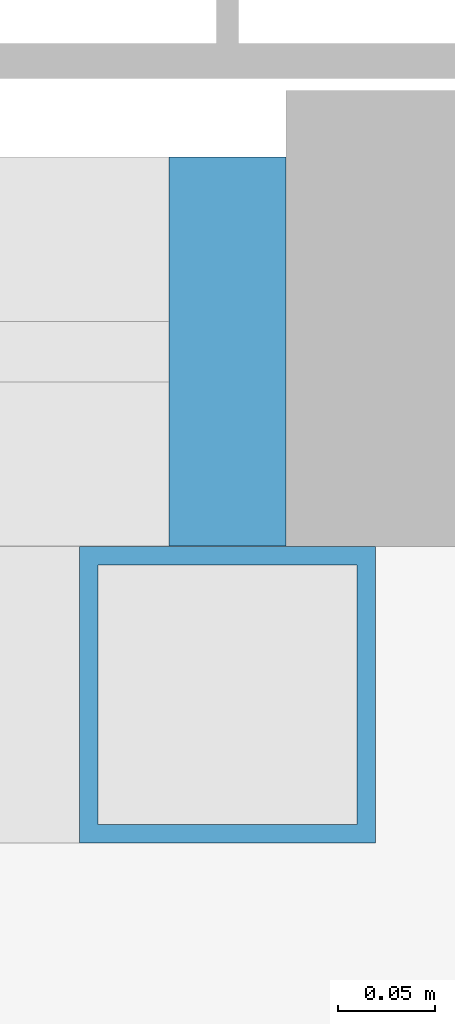
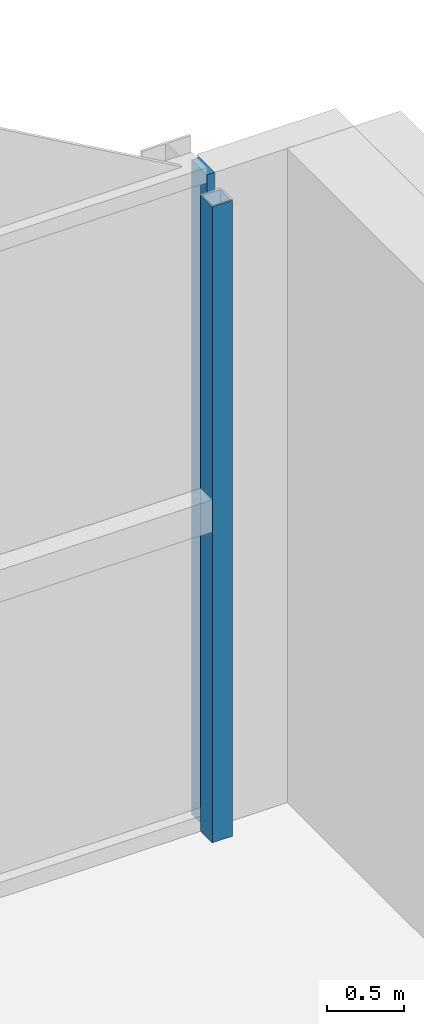
# One storey, part 31 of 93: 2 members, 1 element without a shape of its own.
"""IFC4 building model written with IfcOpenShell, lengths in metres."""

import ifcopenshell
import ifcopenshell.guid

model = None  # the IFC model being written
_history = None  # IfcOwnerHistory: only IFC2X3 demands one
_inside = {}  # id of a spatial element -> (the spatial element, [elements in it])
_under = {}  # id of a project, library or spatial element -> (it, [spatial elements below it])
_declared = {}  # id of a project -> (the project, [libraries it declares])
_typed = {}  # id of a type object -> (the type object, [elements of that type])
_made_of = {}  # id of a material, layer set ... -> (it, [elements and type objects made of it])


def new_model(schema):
    """Start an empty IFC model of exactly this schema.

    Asked for "IFC4X3", IfcOpenShell would pick the latest addendum, in which some entities
    have other attributes; the version numbers below select the first issue.
    IFC2X3 requires an IfcOwnerHistory on every rooted entity: one is made here for all.
    """
    global model, _history
    if schema == "IFC4X3":
        model = ifcopenshell.file(schema_version=(4, 3, 0, 0))
    else:
        model = ifcopenshell.file(schema=schema)
    _inside.clear()
    _under.clear()
    _declared.clear()
    _typed.clear()
    _made_of.clear()
    _history = None
    if model.schema == "IFC2X3":
        org = make("IfcOrganization", Name="unknown")
        user = make(
            "IfcPersonAndOrganization",
            ThePerson=make("IfcPerson", FamilyName="unknown"),
            TheOrganization=org,
        )
        app = make(
            "IfcApplication",
            ApplicationDeveloper=org,
            Version="unknown",
            ApplicationFullName="unknown",
            ApplicationIdentifier="unknown",
        )
        _history = make(
            "IfcOwnerHistory",
            OwningUser=user,
            OwningApplication=app,
            ChangeAction="ADDED",
            CreationDate=0,
        )
    return model


def make(cls, **values):
    """One entity of the class cls with the attributes given. An attribute that is None is left unset."""
    return model.create_entity(
        cls, **{name: value for name, value in values.items() if value is not None}
    )


def rooted(cls, **values):
    """An entity with a GlobalId (a new one), such as an element, a storey or a relation."""
    return make(cls, GlobalId=ifcopenshell.guid.new(), OwnerHistory=_history, **values)


def si_unit(unit_type, name, prefix=None):
    """IfcSIUnit, for example si_unit("LENGTHUNIT", "METRE", prefix="MILLI")."""
    return make("IfcSIUnit", UnitType=unit_type, Prefix=prefix, Name=name)


def assignment(units):
    """IfcUnitAssignment: the units of a project."""
    return None if units is None else make("IfcUnitAssignment", Units=units)


def point(xyz):
    """IfcCartesianPoint."""
    return None if xyz is None else make("IfcCartesianPoint", Coordinates=xyz)


def direction(xyz):
    """IfcDirection."""
    return None if xyz is None else make("IfcDirection", DirectionRatios=xyz)


def frame(location, z_axis=None, x_axis=None):
    """IfcAxis2Placement3D, a coordinate frame: its origin and axes. An axis left out is left unset."""
    return make(
        "IfcAxis2Placement3D",
        Location=point(location),
        Axis=direction(z_axis),
        RefDirection=direction(x_axis),
    )


def frame_2d(location, x_axis=None):
    """IfcAxis2Placement2D, a coordinate frame in the plane: its origin and x axis."""
    return make(
        "IfcAxis2Placement2D", Location=point(location), RefDirection=direction(x_axis)
    )


def origin():
    """The frame at (0, 0, 0) with its axes left unset."""
    return frame((0.0, 0.0, 0.0))


def origin_2d():
    """The frame at (0, 0) in the plane with its x axis left unset."""
    return frame_2d((0.0, 0.0))


def place(relative_to, where):
    """IfcLocalPlacement: puts the frame where relative to a parent placement (None: the world)."""
    return make(
        "IfcLocalPlacement", PlacementRelTo=relative_to, RelativePlacement=where
    )


def context(
    kind, dimensions, precision=None, world=None, true_north=None, identifier=None
):
    """IfcGeometricRepresentationContext, for example the 3D "Model" context."""
    return make(
        "IfcGeometricRepresentationContext",
        ContextIdentifier=identifier,
        ContextType=kind,
        CoordinateSpaceDimension=dimensions,
        Precision=precision,
        WorldCoordinateSystem=world,
        TrueNorth=true_north,
    )


def subcontext(parent, identifier, kind, view, scale=None):
    """IfcGeometricRepresentationSubContext, for example "Body" below "Model"."""
    return make(
        "IfcGeometricRepresentationSubContext",
        ContextIdentifier=identifier,
        ContextType=kind,
        ParentContext=parent,
        TargetScale=scale,
        TargetView=view,
    )


def project(units=None, contexts=None):
    """IfcProject with its units and contexts."""
    return rooted(
        "IfcProject",
        Name="project",
        RepresentationContexts=contexts,
        UnitsInContext=assignment(units),
    )


def spatial(cls, under=None, at=None, **own):
    """A site, building, storey or space (cls), placed at a placement, below another one or the project."""
    s = rooted(cls, ObjectPlacement=at, **own)
    if under is not None:
        _under.setdefault(under.id(), (under, []))[1].append(s)
    return s


def profile(cls, at=None, kind="AREA", **sizes):
    """A parametric profile (cls). Its sizes go by their IFC names, for example OverallWidth=200.0."""
    return make(cls, ProfileType=kind, Position=at, **sizes)


def rectangle(**sizes):
    """IfcRectangleProfileDef."""
    return profile("IfcRectangleProfileDef", **sizes)


def hollow_rectangle(**sizes):
    """IfcRectangleHollowProfileDef."""
    return profile("IfcRectangleHollowProfileDef", **sizes)


def extrude(swept, where, along, depth):
    """IfcExtrudedAreaSolid: the profile swept, set in the frame where, extruded along a direction by depth."""
    return make(
        "IfcExtrudedAreaSolid",
        SweptArea=swept,
        Position=where,
        ExtrudedDirection=direction(along),
        Depth=depth,
    )


def shape(context_of_items, identifier, shape_type, items):
    """IfcShapeRepresentation: the items that make up one representation, for example the "Body"."""
    return make(
        "IfcShapeRepresentation",
        ContextOfItems=context_of_items,
        RepresentationIdentifier=identifier,
        RepresentationType=shape_type,
        Items=items,
    )


def material(Name=None, Category=None):
    """IfcMaterial."""
    return make("IfcMaterial", Name=Name, Category=Category)


def layer(
    of_material, thickness, ventilated=None, Name=None, Category=None, Priority=None
):
    """IfcMaterialLayer: one layer of a wall or slab, of a material (None: an air gap)."""
    return make(
        "IfcMaterialLayer",
        Material=of_material,
        LayerThickness=thickness,
        IsVentilated=ventilated,
        Name=Name,
        Category=Category,
        Priority=Priority,
    )


def layer_set(layers, Name=None):
    """IfcMaterialLayerSet."""
    return make("IfcMaterialLayerSet", MaterialLayers=layers, LayerSetName=Name)


def material_profile(
    of_material, cross_section, Name=None, Category=None, Priority=None
):
    """IfcMaterialProfile: a cross section and its material."""
    return make(
        "IfcMaterialProfile",
        Name=Name,
        Material=of_material,
        Profile=cross_section,
        Priority=Priority,
        Category=Category,
    )


def profile_set(profiles, Name=None, composite=None):
    """IfcMaterialProfileSet."""
    return make(
        "IfcMaterialProfileSet",
        Name=Name,
        MaterialProfiles=profiles,
        CompositeProfile=composite,
    )


def made_of(thing, what):
    """Note that an element or type object is made of a material, layer set ...; save() writes the relation."""
    if what is not None:
        _made_of.setdefault(what.id(), (what, []))[1].append(thing)
    return thing


def type_object(cls, material=None, **own):
    """A type object (cls), such as IfcWallType, which elements share."""
    return made_of(rooted(cls, **own), material)


def element(
    cls,
    number,
    at=None,
    inside=None,
    cuts=None,
    type_object=None,
    material=None,
    context=None,
    identifier="Body",
    shape_type=None,
    held_by="IfcProductDefinitionShape",
    body=None,
    shapes=None,
    **own,
):
    """One element of the class cls, such as IfcWall. Its Tag is "e" and its number.

    at: its placement. inside: the storey or other place that contains it. cuts: it is an
    opening in that element (IfcRelVoidsElement). A single representation is given by context,
    identifier, shape_type and body (its items); several are given by shapes. held_by: the class
    of the entity that holds the representations. save() writes the other relations.
    """
    e = rooted(cls, Tag="e%d" % number, ObjectPlacement=at, **own)
    if body is not None:
        shapes = [shape(context, identifier, shape_type, body)]
    if shapes is not None:
        e.Representation = make(held_by, Representations=shapes)
    if inside is not None:
        _inside.setdefault(inside.id(), (inside, []))[1].append(e)
    if cuts is not None:
        rooted(
            "IfcRelVoidsElement", RelatingBuildingElement=cuts, RelatedOpeningElement=e
        )
    if type_object is not None:
        _typed.setdefault(type_object.id(), (type_object, []))[1].append(e)
    return made_of(e, material)


def aggregate(whole, parts):
    """IfcRelAggregates: a whole, such as a stair, and the parts it consists of."""
    return rooted("IfcRelAggregates", RelatingObject=whole, RelatedObjects=parts)


def save(model, path):
    """Write the relations noted so far, then the file.

    IfcRelAggregates (storeys below a building ...), IfcRelContainedInSpatialStructure (elements
    in a storey), IfcRelDefinesByType, IfcRelAssociatesMaterial and IfcRelDeclares: one each for
    every whole, place, type object, material and project.
    """
    for whole, parts in _under.values():
        aggregate(whole, parts)
    for where, things in _inside.values():
        rooted(
            "IfcRelContainedInSpatialStructure",
            RelatedElements=things,
            RelatingStructure=where,
        )
    for kind, things in _typed.values():
        rooted("IfcRelDefinesByType", RelatedObjects=things, RelatingType=kind)
    for what, things in _made_of.values():
        rooted("IfcRelAssociatesMaterial", RelatedObjects=things, RelatingMaterial=what)
    for by, libraries in _declared.values():
        rooted("IfcRelDeclares", RelatingContext=by, RelatedDefinitions=libraries)
    model.write(path)


model = new_model("IFC4")

# Units and contexts
model_context = context("Model", 3, precision=1e-05, world=origin(), true_north=direction((0.0, 1.0)))
body_context = subcontext(model_context, "Body", "Model", "MODEL_VIEW")
ifc_project = project(units=[si_unit("LENGTHUNIT", "METRE"), si_unit("AREAUNIT", "SQUARE_METRE"), si_unit("VOLUMEUNIT", "CUBIC_METRE"), si_unit("PLANEANGLEUNIT", "RADIAN"), si_unit("MASSUNIT", "GRAM", prefix="KILO")], contexts=[model_context])

# Site, building, storey
site_placement = place(None, origin())
site = spatial("IfcSite", under=ifc_project, at=site_placement, CompositionType="ELEMENT")
building_placement = place(site_placement, origin())
building = spatial("IfcBuilding", under=site, at=building_placement, Name="Verrick Yard Athletic Hall", CompositionType="ELEMENT")
storey_placement = place(building_placement, frame((0.0, 0.0, 8.800048828125)))
storey = spatial("IfcBuildingStorey", under=building, at=storey_placement, Name="L02", CompositionType="ELEMENT", Elevation=8.800048828125)

# Curtain wall, member
ifc_material_1 = material(Name="Anodised aluminium", Category="aluminium")
ifc_layer = layer(ifc_material_1, 0.199951171875)
ifc_layer_set = layer_set([ifc_layer], Name="Gable glazing")
curtain_wall_type = type_object("IfcCurtainWallType", Name="Gable glazing", PredefinedType="NOTDEFINED", material=ifc_layer_set)
curtain_wall_placement = place(storey_placement, origin())
curtain_wall = element("IfcCurtainWall", 1, at=curtain_wall_placement, inside=storey, type_object=curtain_wall_type, Name="Gable curtain wall BN", PredefinedType="NOTDEFINED")
ifc_material_profile_1 = material_profile(ifc_material_1, rectangle(XDim=0.199951171875, YDim=0.06005859375, at=origin_2d()), Name="CW gable mullion 60x200")
ifc_profile_set_1 = profile_set([ifc_material_profile_1], Name="Anodised aluminium")
member_type_1 = type_object("IfcMemberType", Name="Gable glazing mullion 60x200", PredefinedType="MULLION", material=ifc_profile_set_1)
member_1_placement = place(storey_placement, frame((76.0, 107.681640625, 0.0), z_axis=(0.0, 0.0, 1.0), x_axis=(0.0, 1.0, 0.0)))
member_1 = element("IfcMember", 2, at=member_1_placement, type_object=member_type_1, Name="ENVB-HBN-CW/M20", PredefinedType="MULLION", context=body_context, shape_type="SweptSolid", body=[
    extrude(rectangle(XDim=0.199951171875, YDim=0.06005859375, at=origin_2d()), origin(), (0.0, 0.0, 1.0), 5.199951171875),
])
aggregate(curtain_wall, [member_1])

# Member
ifc_material_2 = material(Name="Structural steel HSS Class C 350W (CSA G40.20/G40.21)", Category="steel")
ifc_material_profile_2 = material_profile(ifc_material_2, hollow_rectangle(XDim=0.15234375, YDim=0.15234375, WallThickness=0.009521484375, at=origin_2d()), Name="HSS152x152x9.5")
ifc_profile_set_2 = profile_set([ifc_material_profile_2], Name="Structural steel HSS Class C 350W (CSA G40.20/G40.21)")
member_type_2 = type_object("IfcMemberType", Name="HB gable post HSS152x152x9.5", PredefinedType="POST", material=ifc_profile_set_2)
member_2_placement = place(storey_placement, frame((76.0, 107.50537109375, 0.0), z_axis=(0.0, 0.0, 1.0), x_axis=(1.0, 0.0, 0.0)))
element("IfcMember", 3, at=member_2_placement, inside=storey, type_object=member_type_2, Name="HB-GP-BN-8", PredefinedType="POST", context=body_context, shape_type="SweptSolid", body=[
    extrude(hollow_rectangle(XDim=0.15234375, YDim=0.15234375, WallThickness=0.009521484375, at=origin_2d()), origin(), (0.0, 0.0, 1.0), 5.054443359375),
])

save(model, "model.ifc")
